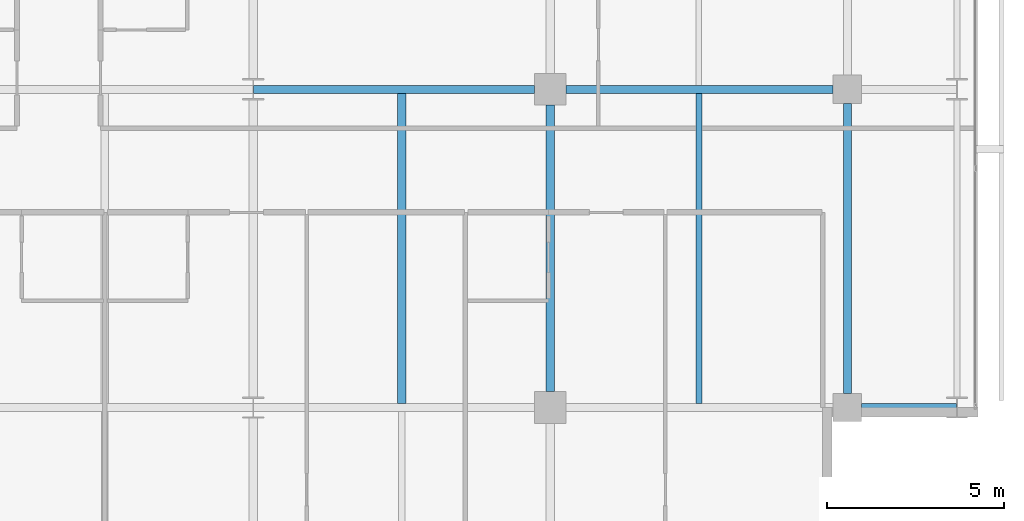
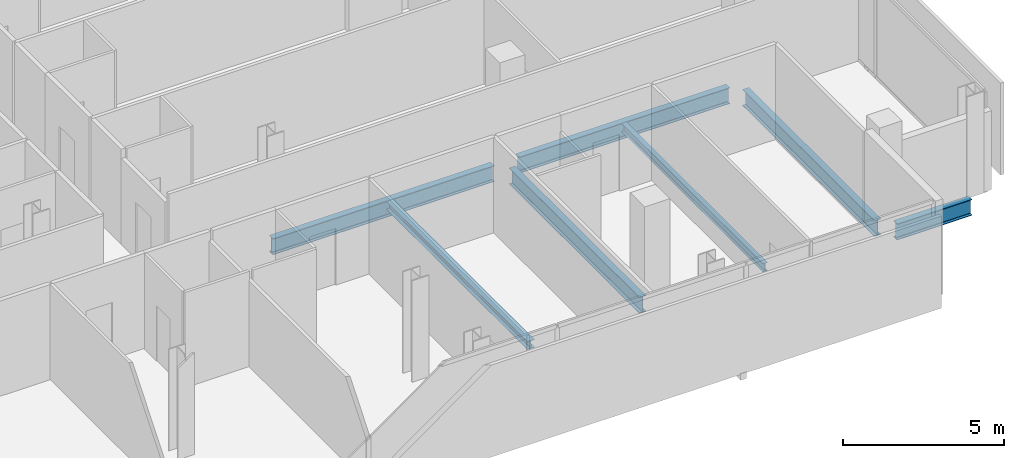
# One storey, part 14 of 33: 7 beams.
"""IFC4 building model written with IfcOpenShell, lengths in metres."""

from ifc_helpers import new_model, si_unit, direction, frame, origin, origin_2d, place, context, subcontext, project, spatial, i_section, extrude, material, material_profile, profile_set, type_object, element, save


model = new_model("IFC4")

# Units and contexts
model_context = context("Model", 3, precision=1e-05, world=origin(), true_north=direction((0.0, 1.0)))
body_context = subcontext(model_context, "Body", "Model", "MODEL_VIEW")
ifc_project = project(units=[si_unit("LENGTHUNIT", "METRE"), si_unit("AREAUNIT", "SQUARE_METRE"), si_unit("VOLUMEUNIT", "CUBIC_METRE"), si_unit("PLANEANGLEUNIT", "RADIAN"), si_unit("MASSUNIT", "GRAM", prefix="KILO")], contexts=[model_context])

# Site, building, storey
site_placement = place(None, origin())
site = spatial("IfcSite", under=ifc_project, at=site_placement, CompositionType="ELEMENT")
building_placement = place(site_placement, origin())
building = spatial("IfcBuilding", under=site, at=building_placement, Name="Maruvema Waterfront Hotel and Observation Tower", CompositionType="ELEMENT")
storey_placement = place(building_placement, frame((0.0, 0.0, 138.949951171875)))
storey = spatial("IfcBuildingStorey", under=building, at=storey_placement, Name="L33", CompositionType="ELEMENT", Elevation=138.949951171875)

# Beams
ifc_material_1 = material(Name="Steel ASTM A572 Grade 50", Category="steel")
ifc_material_profile_1 = material_profile(ifc_material_1, i_section(OverallWidth=0.22900390625, OverallDepth=0.612060546875, WebThickness=0.011962890625, FlangeThickness=0.01953125, FilletRadius=0.01806640625, at=origin_2d()), Name="W610x125.0")
ifc_profile_set_1 = profile_set([ifc_material_profile_1], Name="Steel ASTM A572 Grade 50")
beam_type_1 = type_object("IfcBeamType", Name="Primary Floor Girder W610x125.0", PredefinedType="BEAM", material=ifc_profile_set_1)
beam_1_placement = place(storey_placement, frame((59.199951171875, 9.0, -0.5458984375), z_axis=(1.0, 0.0, 0.0), x_axis=(0.0, 1.0, 0.0)))
element("IfcBeam", 1, at=beam_1_placement, inside=storey, type_object=beam_type_1, Name="L33 Floor Girder EW-10", PredefinedType="BEAM", context=body_context, shape_type="SweptSolid", body=[
    extrude(i_section(OverallWidth=0.22900390625, OverallDepth=0.612060546875, WebThickness=0.011962890625, FlangeThickness=0.01953125, FilletRadius=0.01806640625, at=origin_2d()), origin(), (0.0, 0.0, 1.0), 2.6875),
])
beam_2_placement = place(storey_placement, frame((42.012451171875, 18.0, -0.5458984375), z_axis=(1.0, 0.0, 0.0), x_axis=(0.0, 1.0, 0.0)))
element("IfcBeam", 2, at=beam_2_placement, inside=storey, type_object=beam_type_1, Name="L33 Floor Girder EW-15", PredefinedType="BEAM", context=body_context, shape_type="SweptSolid", body=[
    extrude(i_section(OverallWidth=0.22900390625, OverallDepth=0.612060546875, WebThickness=0.011962890625, FlangeThickness=0.01953125, FilletRadius=0.01806640625, at=origin_2d()), origin(), (0.0, 0.0, 1.0), 7.9375),
])
beam_3_placement = place(storey_placement, frame((50.85009765625, 18.0, -0.5458984375), z_axis=(1.0, 0.0, 0.0), x_axis=(0.0, 1.0, 0.0)))
element("IfcBeam", 3, at=beam_3_placement, inside=storey, type_object=beam_type_1, Name="L33 Floor Girder EW-16", PredefinedType="BEAM", context=body_context, shape_type="SweptSolid", body=[
    extrude(i_section(OverallWidth=0.22900390625, OverallDepth=0.612060546875, WebThickness=0.011962890625, FlangeThickness=0.01953125, FilletRadius=0.01806640625, at=origin_2d()), origin(), (0.0, 0.0, 1.0), 7.5498046875),
])
beam_4_placement = place(storey_placement, frame((50.39990234375, 9.449951171875, -0.5458984375), z_axis=(0.0, 1.0, 0.0), x_axis=(-1.0, 0.0, 0.0)))
element("IfcBeam", 4, at=beam_4_placement, inside=storey, type_object=beam_type_1, Name="L33 Floor Girder NS-21", PredefinedType="BEAM", context=body_context, shape_type="SweptSolid", body=[
    extrude(i_section(OverallWidth=0.22900390625, OverallDepth=0.612060546875, WebThickness=0.011962890625, FlangeThickness=0.01953125, FilletRadius=0.01806640625, at=origin_2d()), origin(), (0.0, 0.0, 1.0), 8.10009765625),
])
beam_5_placement = place(storey_placement, frame((58.800048828125, 9.39990234375, -0.5458984375), z_axis=(0.0, 1.0, 0.0), x_axis=(-1.0, 0.0, 0.0)))
element("IfcBeam", 5, at=beam_5_placement, inside=storey, type_object=beam_type_1, Name="L33 Floor Girder NS-25", PredefinedType="BEAM", context=body_context, shape_type="SweptSolid", body=[
    extrude(i_section(OverallWidth=0.22900390625, OverallDepth=0.612060546875, WebThickness=0.011962890625, FlangeThickness=0.01953125, FilletRadius=0.01806640625, at=origin_2d()), origin(), (0.0, 0.0, 1.0), 8.2001953125),
])
ifc_material_2 = material(Name="Steel ASTM A572 Grade 50", Category="steel")
ifc_material_profile_2 = material_profile(ifc_material_2, i_section(OverallWidth=0.1669921875, OverallDepth=0.31689453125, WebThickness=0.007568359375, FlangeThickness=0.01318359375, FilletRadius=0.012939453125, at=origin_2d()), Name="W310x52.0")
ifc_profile_set_2 = profile_set([ifc_material_profile_2], Name="Steel ASTM A572 Grade 50")
beam_type_2 = type_object("IfcBeamType", Name="Secondary Floor Joist W310x52.0", PredefinedType="JOIST", material=ifc_profile_set_2)
beam_6_placement = place(storey_placement, frame((54.60009765625, 9.114501953125, -0.3984375), z_axis=(0.0, 1.0, 0.0), x_axis=(-1.0, 0.0, 0.0)))
element("IfcBeam", 6, at=beam_6_placement, inside=storey, type_object=beam_type_2, Name="L33 Secondary Floor Joist JS-11", PredefinedType="JOIST", context=body_context, shape_type="SweptSolid", body=[
    extrude(i_section(OverallWidth=0.1669921875, OverallDepth=0.31689453125, WebThickness=0.007568359375, FlangeThickness=0.01318359375, FilletRadius=0.012939453125, at=origin_2d()), origin(), (0.0, 0.0, 1.0), 8.77099609375),
])
ifc_material_3 = material(Name="Steel ASTM A572 Grade 50", Category="steel")
ifc_material_profile_3 = material_profile(ifc_material_3, i_section(OverallWidth=0.25390625, OverallDepth=0.305908203125, WebThickness=0.0087890625, FlangeThickness=0.0146484375, FilletRadius=0.014892578125, at=origin_2d()), Name="W310x79.0")
ifc_profile_set_3 = profile_set([ifc_material_profile_3], Name="Steel ASTM A572 Grade 50")
beam_type_3 = type_object("IfcBeamType", Name="Secondary Floor Joist W310x79.0", PredefinedType="JOIST", material=ifc_profile_set_3)
beam_7_placement = place(storey_placement, frame((46.199951171875, 9.114501953125, -0.39306640625), z_axis=(0.0, 1.0, 0.0), x_axis=(-1.0, 0.0, 0.0)))
element("IfcBeam", 7, at=beam_7_placement, inside=storey, type_object=beam_type_3, Name="L33 Secondary Floor Joist JS-10", PredefinedType="JOIST", context=body_context, shape_type="SweptSolid", body=[
    extrude(i_section(OverallWidth=0.25390625, OverallDepth=0.305908203125, WebThickness=0.0087890625, FlangeThickness=0.0146484375, FilletRadius=0.014892578125, at=origin_2d()), origin(), (0.0, 0.0, 1.0), 8.77099609375),
])

save(model, "model.ifc")
